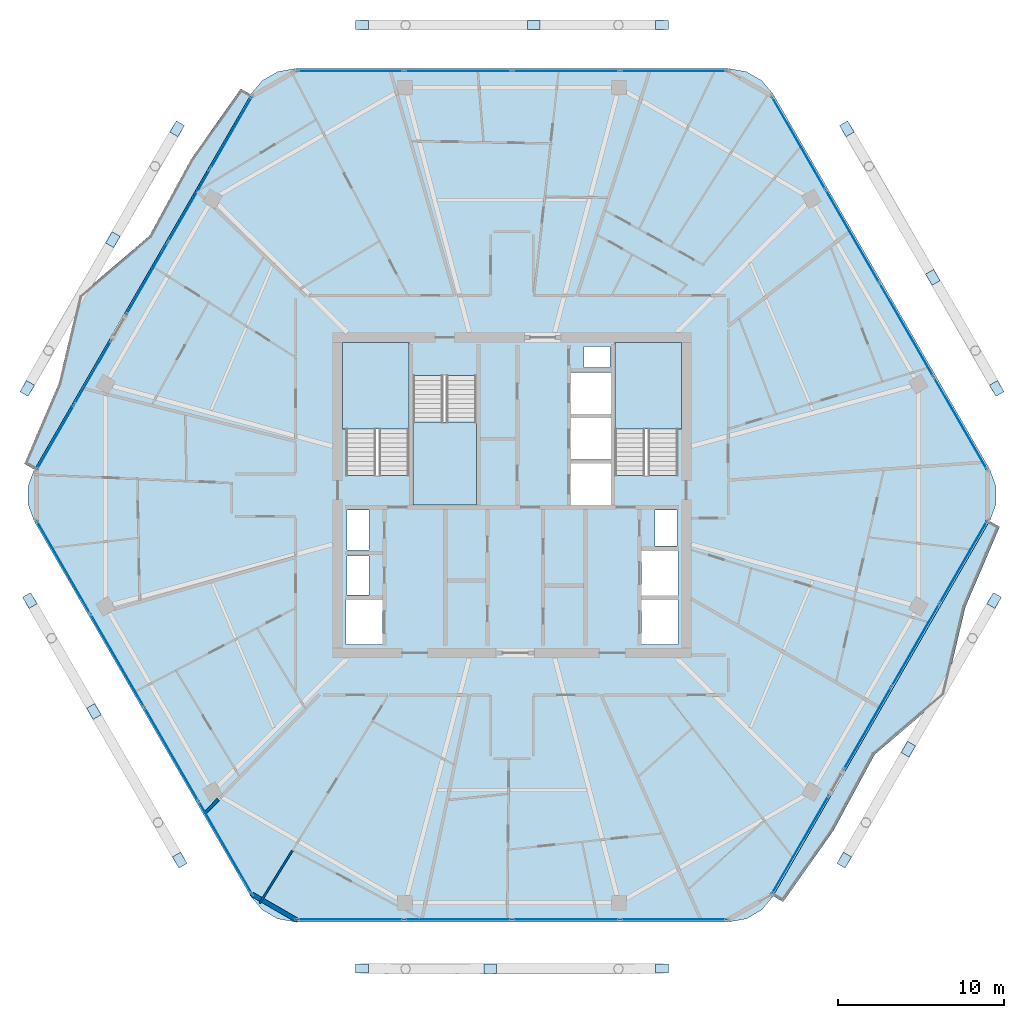
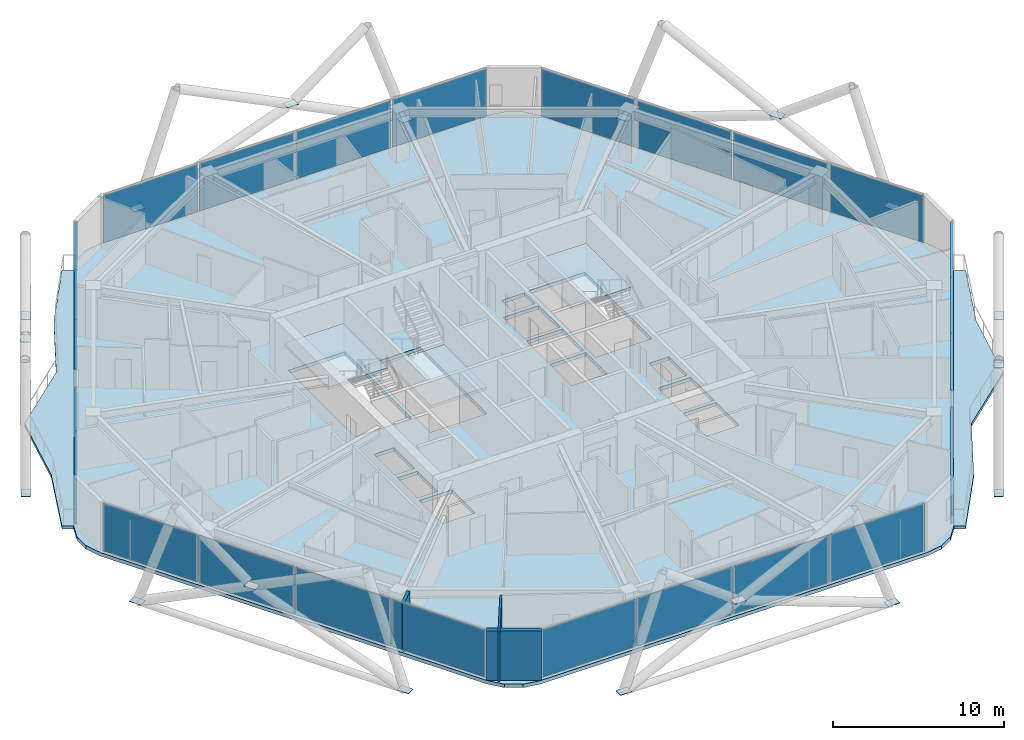
# One storey, part 19 of 29: 43 plates, 6 slabs, 3 walls, 11 elements without a shape of their own.
"""IFC4 building model written with IfcOpenShell, lengths in metres."""

from ifc_helpers import new_model, si_unit, direction, frame, frame_2d, origin, origin_2d, place, context, subcontext, project, spatial, polyline, rectangle, outline, extrude, material, layer, layer_set, type_object, element, aggregate, save


model = new_model("IFC4")

# Units and contexts
model_context = context("Model", 3, precision=1e-05, world=origin(), true_north=direction((0.0, 1.0)))
body_context = subcontext(model_context, "Body", "Model", "MODEL_VIEW")
ifc_project = project(units=[si_unit("LENGTHUNIT", "METRE"), si_unit("AREAUNIT", "SQUARE_METRE"), si_unit("VOLUMEUNIT", "CUBIC_METRE"), si_unit("PLANEANGLEUNIT", "RADIAN"), si_unit("MASSUNIT", "GRAM", prefix="KILO")], contexts=[model_context])

# Site, building, storey
site_placement = place(None, origin())
site = spatial("IfcSite", under=ifc_project, at=site_placement, CompositionType="ELEMENT")
building_placement = place(site_placement, origin())
building = spatial("IfcBuilding", under=site, at=building_placement, Name="Zuhravey Tower", CompositionType="ELEMENT")
storey_placement = place(building_placement, frame((0.0, 0.0, 246.39990234375)))
storey = spatial("IfcBuildingStorey", under=building, at=storey_placement, Name="L62", CompositionType="ELEMENT", Elevation=246.39990234375)

# Plates
ifc_material_1 = material(Name="Steel SM460", Category="steel")
ifc_layer_1 = layer(ifc_material_1, 0.031982421875)
ifc_layer_set_1 = layer_set([ifc_layer_1], Name="Steel SM460")
plate_type_1 = type_object("IfcPlateType", Name="Exoskeleton Zone 3 Node Plate ND3", PredefinedType="SHEET", material=ifc_layer_set_1)
for number, where, z_axis, x_axis, name in (
    (1, (65.19921875, 38.4326171875, -0.47998046875), (0.0, 0.0, 1.0), (-0.5, 0.866025403784, 0.0), "L62 Exoskeleton Node Gusset L62-01"),
    (2, (56.17041015625, 54.071044921875, -0.47998046875), (0.0, 0.0, 1.0), (-0.5, 0.866025403784, 0.0), "L62 Exoskeleton Node Gusset L62-02"),
    (3, (45.029052734375, 60.323486328125, -0.47998046875), (0.0, 0.0, 1.0), (-1.0, 0.0, 0.0), "L62 Exoskeleton Node Gusset L62-03"),
    (4, (26.970947265625, 60.323486328125, -0.47998046875), (0.0, 0.0, 1.0), (-1.0, 0.0, 0.0), "L62 Exoskeleton Node Gusset L62-04"),
    (5, (15.82958984375, 54.071044921875, -0.47998046875), (0.0, 0.0, 1.0), (-0.5, -0.866025403784, 0.0), "L62 Exoskeleton Node Gusset L62-05"),
    (6, (6.80078125, 38.4326171875, -0.47998046875), (0.0, 0.0, 1.0), (-0.5, -0.866025403784, 0.0), "L62 Exoskeleton Node Gusset L62-06"),
    (7, (6.95654296875, 25.657470703125, -0.47998046875), (0.0, 0.0, 1.0), (0.5, -0.866025403784, 0.0), "L62 Exoskeleton Node Gusset L62-07"),
    (8, (15.985595703125, 10.018798828125, -0.47998046875), (0.0, 0.0, 1.0), (0.5, -0.866025403784, 0.0), "L62 Exoskeleton Node Gusset L62-08"),
    (9, (26.970947265625, 3.496337890625, -0.47998046875), (0.0, 0.0, 1.0), (1.0, 0.0, 0.0), "L62 Exoskeleton Node Gusset L62-09"),
    (10, (45.029052734375, 3.496337890625, -0.47998046875), (0.0, 0.0, 1.0), (1.0, 0.0, 0.0), "L62 Exoskeleton Node Gusset L62-10"),
    (11, (56.014404296875, 10.018798828125, -0.47998046875), (0.0, 0.0, 1.0), (0.5, 0.866025403784, 0.0), "L62 Exoskeleton Node Gusset L62-11"),
    (12, (65.04345703125, 25.657470703125, -0.47998046875), (0.0, 0.0, 1.0), (0.5, 0.866025403784, 0.0), "L62 Exoskeleton Node Gusset L62-12"),
    (13, (61.35302734375, 45.124267578125, 3.3203125), (0.0, 0.0, 1.0), (-0.5, 0.866025403784, 0.0), "L62 Face 1 Diagrid X-Crossing Plate"),
    (14, (37.310791015625, 60.323486328125, 3.3203125), (0.0, 0.0, 1.0), (-1.0, 0.0, 0.0), "L62 Face 2 Diagrid X-Crossing Plate"),
    (15, (11.95751953125, 47.394287109375, 3.3203125), (0.0, 0.0, 1.0), (-0.5, -0.866025403784, 0.0), "L62 Face 3 Diagrid X-Crossing Plate"),
    (16, (10.815673828125, 18.973388671875, 3.3203125), (0.0, 0.0, 1.0), (0.5, -0.866025403784, 0.0), "L62 Face 4 Diagrid X-Crossing Plate"),
    (17, (34.689208984375, 3.4814453125, 3.3203125), (0.0, 0.0, 1.0), (1.0, 0.0, 0.0), "L62 Face 5 Diagrid X-Crossing Plate"),
    (18, (59.87353515625, 16.703125, 3.3203125), (0.0, 0.0, 1.0), (0.5, 0.866025403784, 0.0), "L62 Face 6 Diagrid X-Crossing Plate"),
):
    element("IfcPlate", number, at=place(storey_placement, frame(where, z_axis=z_axis, x_axis=x_axis)), inside=storey, type_object=plate_type_1, Name=name, PredefinedType="SHEET", context=body_context, shape_type="SweptSolid", body=[
        extrude(rectangle(XDim=0.780029296875, YDim=0.56005859375, at=origin_2d()), origin(), (0.0, 0.0, 1.0), 0.031982421875),
    ])

# Slabs
ifc_material_2 = material(Name="Concrete C50/60", Category="concrete")
ifc_layer_2 = layer(ifc_material_2, 0.25)
ifc_layer_set_2 = layer_set([ifc_layer_2], Name="Concrete C50/60")
slab_type_1 = type_object("IfcSlabType", Name="Residential Acoustic Slab 250", PredefinedType="FLOOR", material=ifc_layer_set_2)
slab_1_placement = place(storey_placement, frame((0.0, 0.0, -0.25)))
element("IfcSlab", 19, at=slab_1_placement, inside=storey, type_object=slab_type_1, Name="L62 Floor Slab FS25", PredefinedType="FLOOR", context=body_context, shape_type="SweptSolid", body=[
    extrude(outline(polyline([(64.78515625, 30.449951171875), (65.1533203125, 31.461669921875), (65.1533203125, 32.538330078125), (64.78515625, 33.550048828125), (51.73486328125, 56.153564453125), (51.04296875, 56.978515625), (50.110595703125, 57.5166015625), (49.05029296875, 57.70361328125), (22.94970703125, 57.70361328125), (21.889404296875, 57.5166015625), (20.95703125, 56.978515625), (20.26513671875, 56.153564453125), (7.21484375, 33.550048828125), (6.8466796875, 32.538330078125), (6.8466796875, 31.461669921875), (7.21484375, 30.449951171875), (20.26513671875, 7.846435546875), (20.95703125, 7.021484375), (21.889404296875, 6.4833984375), (22.94970703125, 6.29638671875), (49.05029296875, 6.29638671875), (50.110595703125, 6.4833984375), (51.04296875, 7.021484375), (51.73486328125, 7.846435546875), (64.78515625, 30.449951171875)]), holes=[polyline([(29.800048828125, 33.20068359375), (29.800048828125, 41.0), (26.0, 41.0), (26.0, 33.20068359375), (29.800048828125, 33.20068359375)]), polyline([(46.0, 33.20068359375), (46.0, 41.0), (42.199951171875, 41.0), (42.199951171875, 33.20068359375), (46.0, 33.20068359375)]), polyline([(30.050048828125, 39.199462890625), (30.050048828125, 31.39990234375), (33.85009765625, 31.39990234375), (33.85009765625, 39.199462890625), (30.050048828125, 39.199462890625)]), polyline([(39.550048828125, 31.39990234375), (41.949951171875, 31.39990234375), (41.949951171875, 33.89990234375), (39.550048828125, 33.89990234375), (39.550048828125, 31.39990234375)]), polyline([(39.550048828125, 34.14990234375), (41.949951171875, 34.14990234375), (41.949951171875, 36.64990234375), (39.550048828125, 36.64990234375), (39.550048828125, 34.14990234375)]), polyline([(39.550048828125, 36.89990234375), (41.949951171875, 36.89990234375), (41.949951171875, 39.39990234375), (39.550048828125, 39.39990234375), (39.550048828125, 36.89990234375)]), polyline([(26.0, 23.0), (28.199951171875, 23.0), (28.199951171875, 25.699951171875), (26.0, 25.699951171875), (26.0, 23.0)]), polyline([(43.800048828125, 23.0), (46.0, 23.0), (46.0, 25.699951171875), (43.800048828125, 25.699951171875), (43.800048828125, 23.0)]), polyline([(43.800048828125, 25.949951171875), (46.0, 25.949951171875), (46.0, 28.64990234375), (43.800048828125, 28.64990234375), (43.800048828125, 25.949951171875)]), polyline([(26.050048828125, 26.0), (27.39990234375, 26.0), (27.39990234375, 28.35009765625), (26.050048828125, 28.35009765625), (26.050048828125, 26.0)]), polyline([(26.050048828125, 28.699951171875), (27.39990234375, 28.699951171875), (27.39990234375, 31.10009765625), (26.050048828125, 31.10009765625), (26.050048828125, 28.699951171875)]), polyline([(44.60009765625, 28.949951171875), (45.949951171875, 28.949951171875), (45.949951171875, 31.10009765625), (44.60009765625, 31.10009765625), (44.60009765625, 28.949951171875)]), polyline([(40.35009765625, 39.699951171875), (41.89990234375, 39.699951171875), (41.89990234375, 40.949951171875), (40.35009765625, 40.949951171875), (40.35009765625, 39.699951171875)])]), origin(), (0.0, 0.0, 1.0), 0.25),
])
ifc_material_3 = material(Name="Concrete C40/50", Category="concrete")
ifc_layer_3 = layer(ifc_material_3, 0.219970703125)
ifc_layer_set_3 = layer_set([ifc_layer_3], Name="Concrete C40/50")
slab_type_2 = type_object("IfcSlabType", Name="Sinusoidal Residential Wave Balcony 220", PredefinedType="FLOOR", material=ifc_layer_set_3)
slab_2_placement = place(storey_placement, frame((0.0, 0.0, -0.219970703125)))
element("IfcSlab", 20, at=slab_2_placement, inside=storey, type_object=slab_type_2, Name="L62 Face 3 Wave Balcony WB22", PredefinedType="FLOOR", context=body_context, shape_type="SweptSolid", body=[
    extrude(outline(polyline([(20.273681640625, 56.138671875), (7.232177734375, 33.550048828125), (6.6259765625, 33.89990234375), (8.69189453125, 38.730712890625), (9.947021484375, 44.02978515625), (14.157470703125, 47.62255859375), (16.645751953125, 52.209716796875), (19.66748046875, 56.488525390625), (20.273681640625, 56.138671875)])), origin(), (0.0, 0.0, 1.0), 0.219970703125),
])
slab_3_placement = place(storey_placement, frame((0.0, 0.0, -0.219970703125)))
element("IfcSlab", 21, at=slab_3_placement, inside=storey, type_object=slab_type_2, Name="L62 Face 6 Wave Balcony WB22", PredefinedType="FLOOR", context=body_context, shape_type="SweptSolid", body=[
    extrude(outline(polyline([(51.726318359375, 7.861328125), (64.767822265625, 30.449951171875), (65.3740234375, 30.10009765625), (63.30810546875, 25.269287109375), (62.052978515625, 19.97021484375), (57.842529296875, 16.37744140625), (55.354248046875, 11.790283203125), (52.33251953125, 7.511474609375), (51.726318359375, 7.861328125)])), origin(), (0.0, 0.0, 1.0), 0.219970703125),
])

# Stair, slab
stair_type = type_object("IfcStairType", Name="Housing Storey Stair Assembly 3800", PredefinedType="HALF_TURN_STAIR", material=ifc_material_3)
stair_1_placement = place(storey_placement, origin())
stair_1 = element("IfcStair", 22, at=stair_1_placement, inside=storey, type_object=stair_type, Name="L62 Core Exit Stair ST1", PredefinedType="HALF_TURN_STAIR")
ifc_layer_4 = layer(ifc_material_3, 0.199951171875)
ifc_layer_set_4 = layer_set([ifc_layer_4], Name="Concrete C40/50")
slab_type_3 = type_object("IfcSlabType", Name="Stair Landing Slab 200", PredefinedType="LANDING", material=ifc_layer_set_4)
slab_4_placement = place(storey_placement, frame((0.0, 0.0, 1.7001953125)))
slab_4 = element("IfcSlab", 23, at=slab_4_placement, type_object=slab_type_3, Name="ST1 landing 1", PredefinedType="LANDING", context=body_context, shape_type="SweptSolid", body=[
    extrude(outline(polyline([(29.800048828125, 36.0), (29.800048828125, 41.197998046875), (25.802001953125, 41.197998046875), (25.802001953125, 36.0), (29.800048828125, 36.0)])), origin(), (0.0, 0.0, 1.0), 0.199951171875),
])
aggregate(stair_1, [slab_4])

stair_2_placement = place(storey_placement, origin())
stair_2 = element("IfcStair", 24, at=stair_2_placement, inside=storey, type_object=stair_type, Name="L62 Core Exit Stair ST2", PredefinedType="HALF_TURN_STAIR")
slab_5_placement = place(storey_placement, frame((0.0, 0.0, 1.7001953125)))
slab_5 = element("IfcSlab", 25, at=slab_5_placement, type_object=slab_type_3, Name="ST2 landing 1", PredefinedType="LANDING", context=body_context, shape_type="SweptSolid", body=[
    extrude(outline(polyline([(46.197998046875, 36.0), (46.197998046875, 41.197998046875), (42.199951171875, 41.197998046875), (42.199951171875, 36.0), (46.197998046875, 36.0)])), origin(), (0.0, 0.0, 1.0), 0.199951171875),
])
aggregate(stair_2, [slab_5])

stair_3_placement = place(storey_placement, origin())
stair_3 = element("IfcStair", 26, at=stair_3_placement, inside=storey, type_object=stair_type, Name="L62 Core Exit Stair ST3", PredefinedType="HALF_TURN_STAIR")
slab_6_placement = place(storey_placement, frame((0.0, 0.0, 1.7001953125)))
slab_6 = element("IfcSlab", 27, at=slab_6_placement, type_object=slab_type_3, Name="ST3 landing 1", PredefinedType="LANDING", context=body_context, shape_type="SweptSolid", body=[
    extrude(outline(polyline([(30.050048828125, 36.39990234375), (30.050048828125, 31.39990234375), (33.85009765625, 31.39990234375), (33.85009765625, 36.39990234375), (30.050048828125, 36.39990234375)])), origin(), (0.0, 0.0, 1.0), 0.199951171875),
])
aggregate(stair_3, [slab_6])

# Curtain wall, plates
ifc_material_4 = material(Name="Thermally broken anodised aluminium", Category="aluminium")
curtain_wall_type = type_object("IfcCurtainWallType", Name="Zone 3-4 High-Rise Curtain Wall CW4", PredefinedType="NOTDEFINED", material=ifc_material_4)
curtain_wall_1_placement = place(storey_placement, origin())
curtain_wall_1 = element("IfcCurtainWall", 28, at=curtain_wall_1_placement, inside=storey, type_object=curtain_wall_type, Name="L62 CW4 CW-L62-F6-1", PredefinedType="NOTDEFINED")
ifc_material_5 = material(Name="Triple low-E insulated vision glass", Category="glass")
ifc_layer_5 = layer(ifc_material_5, 0.0419921875)
ifc_layer_set_5 = layer_set([ifc_layer_5], Name="Triple low-E insulated vision glass")
plate_type_2 = type_object("IfcPlateType", Name="Triple Low-E Vision Panel", PredefinedType="CURTAIN_PANEL", material=ifc_layer_set_5)
plate_1_placement = place(storey_placement, frame((63.18603515625, 27.960205078125, 0.090087890625), z_axis=(0.0, 0.0, 1.0), x_axis=(-0.499999117677, -0.866025913193, 0.0)))
plate_1 = element("IfcPlate", 29, at=plate_1_placement, type_object=plate_type_2, Name="CW4 panel 1.1", PredefinedType="CURTAIN_PANEL", context=body_context, shape_type="SweptSolid", body=[
    extrude(rectangle(XDim=5.65673828125, YDim=0.0419921875, at=origin_2d()), origin(), (0.0, 0.0, 1.0), 3.3701171875),
])
plate_2_placement = place(storey_placement, frame((60.30126953125, 22.9638671875, 0.090087890625), z_axis=(0.0, 0.0, 1.0), x_axis=(-0.499999117677, -0.866025913193, 0.0)))
plate_2 = element("IfcPlate", 30, at=plate_2_placement, type_object=plate_type_2, Name="CW4 panel 2.1", PredefinedType="CURTAIN_PANEL", context=body_context, shape_type="SweptSolid", body=[
    extrude(rectangle(XDim=5.70166015625, YDim=0.0419921875, at=origin_2d()), origin(), (0.0, 0.0, 1.0), 3.3701171875),
])
plate_3_placement = place(storey_placement, frame((57.416748046875, 17.967529296875, 0.090087890625), z_axis=(0.0, 0.0, 1.0), x_axis=(-0.499999117677, -0.866025913193, 0.0)))
plate_3 = element("IfcPlate", 31, at=plate_3_placement, type_object=plate_type_2, Name="CW4 panel 3.1", PredefinedType="CURTAIN_PANEL", context=body_context, shape_type="SweptSolid", body=[
    extrude(rectangle(XDim=5.65673828125, YDim=0.0419921875, at=origin_2d()), origin(), (0.0, 0.0, 1.0), 3.3701171875),
])
aggregate(curtain_wall_1, [plate_1, plate_2, plate_3])

# Curtain wall, plate
curtain_wall_2_placement = place(storey_placement, origin())
curtain_wall_2 = element("IfcCurtainWall", 32, at=curtain_wall_2_placement, inside=storey, type_object=curtain_wall_type, Name="L62 CW4 CW-L62-F6-2", PredefinedType="NOTDEFINED")
plate_4_placement = place(storey_placement, frame((53.369873046875, 10.95849609375, 0.090087890625), z_axis=(0.0, 0.0, 1.0), x_axis=(-0.500003100264, -0.866023613839, 0.0)))
plate_4 = element("IfcPlate", 33, at=plate_4_placement, type_object=plate_type_2, Name="CW4 panel 1.1", PredefinedType="CURTAIN_PANEL", context=body_context, shape_type="SweptSolid", body=[
    extrude(rectangle(XDim=6.770263671875, YDim=0.0419921875, at=origin_2d()), origin(), (0.0, 0.0, 1.0), 3.3701171875),
])
aggregate(curtain_wall_2, [plate_4])

# Curtain wall, plates
curtain_wall_3_placement = place(storey_placement, origin())
curtain_wall_3 = element("IfcCurtainWall", 34, at=curtain_wall_3_placement, inside=storey, type_object=curtain_wall_type, Name="L62 CW4 CW-L62-F5-1", PredefinedType="NOTDEFINED")
plate_5_placement = place(storey_placement, frame((45.737060546875, 6.436279296875, 0.090087890625), z_axis=(0.0, 0.0, 1.0), x_axis=(-1.0, 0.0, 0.0)))
plate_5 = element("IfcPlate", 35, at=plate_5_placement, type_object=plate_type_2, Name="CW4 panel 1.1", PredefinedType="CURTAIN_PANEL", context=body_context, shape_type="SweptSolid", body=[
    extrude(rectangle(XDim=6.371337890625, YDim=0.0419921875, at=origin_2d()), origin(), (0.0, 0.0, 1.0), 3.3701171875),
])
plate_6_placement = place(storey_placement, frame((39.253173828125, 6.436279296875, 0.090087890625), z_axis=(0.0, 0.0, 1.0), x_axis=(-1.0, 0.0, 0.0)))
plate_6 = element("IfcPlate", 36, at=plate_6_placement, type_object=plate_type_2, Name="CW4 panel 2.1", PredefinedType="CURTAIN_PANEL", context=body_context, shape_type="SweptSolid", body=[
    extrude(rectangle(XDim=6.416259765625, YDim=0.0419921875, at=origin_2d()), origin(), (0.0, 0.0, 1.0), 3.3701171875),
])
plate_7_placement = place(storey_placement, frame((32.746826171875, 6.436279296875, 0.090087890625), z_axis=(0.0, 0.0, 1.0), x_axis=(-1.0, 0.0, 0.0)))
plate_7 = element("IfcPlate", 37, at=plate_7_placement, type_object=plate_type_2, Name="CW4 panel 3.1", PredefinedType="CURTAIN_PANEL", context=body_context, shape_type="SweptSolid", body=[
    extrude(rectangle(XDim=6.416259765625, YDim=0.0419921875, at=origin_2d()), origin(), (0.0, 0.0, 1.0), 3.3701171875),
])
plate_8_placement = place(storey_placement, frame((26.262939453125, 6.436279296875, 0.090087890625), z_axis=(0.0, 0.0, 1.0), x_axis=(-1.0, 0.0, 0.0)))
plate_8 = element("IfcPlate", 38, at=plate_8_placement, type_object=plate_type_2, Name="CW4 panel 4.1", PredefinedType="CURTAIN_PANEL", context=body_context, shape_type="SweptSolid", body=[
    extrude(rectangle(XDim=6.371337890625, YDim=0.0419921875, at=origin_2d()), origin(), (0.0, 0.0, 1.0), 3.3701171875),
])
aggregate(curtain_wall_3, [plate_5, plate_6, plate_7, plate_8])

curtain_wall_4_placement = place(storey_placement, origin())
curtain_wall_4 = element("IfcCurtainWall", 39, at=curtain_wall_4_placement, inside=storey, type_object=curtain_wall_type, Name="L62 CW4 CW-L62-F4-1", PredefinedType="NOTDEFINED")
plate_9_placement = place(storey_placement, frame((18.729736328125, 10.78564453125, 0.090087890625), z_axis=(0.0, 0.0, 1.0), x_axis=(-0.500000957414, 0.866024851021, 0.0)))
plate_9 = element("IfcPlate", 40, at=plate_9_placement, type_object=plate_type_2, Name="CW4 panel 1.1", PredefinedType="CURTAIN_PANEL", context=body_context, shape_type="SweptSolid", body=[
    extrude(rectangle(XDim=6.371337890625, YDim=0.0419921875, at=origin_2d()), origin(), (0.0, 0.0, 1.0), 3.3701171875),
])
plate_10_placement = place(storey_placement, frame((15.48779296875, 16.40087890625, 0.090087890625), z_axis=(0.0, 0.0, 1.0), x_axis=(-0.500000957414, 0.866024851021, 0.0)))
plate_10 = element("IfcPlate", 41, at=plate_10_placement, type_object=plate_type_2, Name="CW4 panel 2.1", PredefinedType="CURTAIN_PANEL", context=body_context, shape_type="SweptSolid", body=[
    extrude(rectangle(XDim=6.416259765625, YDim=0.0419921875, at=origin_2d()), origin(), (0.0, 0.0, 1.0), 3.3701171875),
])
plate_11_placement = place(storey_placement, frame((12.234619140625, 22.03564453125, 0.090087890625), z_axis=(0.0, 0.0, 1.0), x_axis=(-0.500000957414, 0.866024851021, 0.0)))
plate_11 = element("IfcPlate", 42, at=plate_11_placement, type_object=plate_type_2, Name="CW4 panel 3.1", PredefinedType="CURTAIN_PANEL", context=body_context, shape_type="SweptSolid", body=[
    extrude(rectangle(XDim=6.416259765625, YDim=0.0419921875, at=origin_2d()), origin(), (0.0, 0.0, 1.0), 3.3701171875),
])
plate_12_placement = place(storey_placement, frame((8.99267578125, 27.650634765625, 0.090087890625), z_axis=(0.0, 0.0, 1.0), x_axis=(-0.500000957414, 0.866024851021, 0.0)))
plate_12 = element("IfcPlate", 43, at=plate_12_placement, type_object=plate_type_2, Name="CW4 panel 4.1", PredefinedType="CURTAIN_PANEL", context=body_context, shape_type="SweptSolid", body=[
    extrude(rectangle(XDim=6.371337890625, YDim=0.0419921875, at=origin_2d()), origin(), (0.0, 0.0, 1.0), 3.3701171875),
])
aggregate(curtain_wall_4, [plate_9, plate_10, plate_11, plate_12])

curtain_wall_5_placement = place(storey_placement, origin())
curtain_wall_5 = element("IfcCurtainWall", 44, at=curtain_wall_5_placement, inside=storey, type_object=curtain_wall_type, Name="L62 CW4 CW-L62-F3-1", PredefinedType="NOTDEFINED")
plate_13_placement = place(storey_placement, frame((8.501220703125, 35.498046875, 0.090087890625), z_axis=(0.0, 0.0, 1.0), x_axis=(0.500003656948, 0.866023292434, 0.0)))
plate_13 = element("IfcPlate", 45, at=plate_13_placement, type_object=plate_type_2, Name="CW4 panel 1.1", PredefinedType="CURTAIN_PANEL", context=body_context, shape_type="SweptSolid", body=[
    extrude(rectangle(XDim=4.405517578125, YDim=0.0419921875, at=origin_2d()), origin(), (0.0, 0.0, 1.0), 3.3701171875),
])
plate_14_placement = place(storey_placement, frame((10.7490234375, 39.391357421875, 0.090087890625), z_axis=(0.0, 0.0, 1.0), x_axis=(0.500003656948, 0.866023292434, 0.0)))
plate_14 = element("IfcPlate", 46, at=plate_14_placement, type_object=plate_type_2, Name="CW4 panel 2.1", PredefinedType="CURTAIN_PANEL", context=body_context, shape_type="SweptSolid", body=[
    extrude(rectangle(XDim=4.405517578125, YDim=0.0419921875, at=origin_2d()), origin(), (0.0, 0.0, 1.0), 3.3701171875),
])
aggregate(curtain_wall_5, [plate_13, plate_14])

curtain_wall_6_placement = place(storey_placement, origin())
curtain_wall_6 = element("IfcCurtainWall", 47, at=curtain_wall_6_placement, inside=storey, type_object=curtain_wall_type, Name="L62 CW4 CW-L62-F3-2", PredefinedType="NOTDEFINED")
plate_15_placement = place(storey_placement, frame((14.027099609375, 45.06884765625, 0.090087890625), z_axis=(0.0, 0.0, 1.0), x_axis=(0.499998229413, 0.866026426031, 0.0)))
plate_15 = element("IfcPlate", 48, at=plate_15_placement, type_object=plate_type_2, Name="CW4 panel 1.1", PredefinedType="CURTAIN_PANEL", context=body_context, shape_type="SweptSolid", body=[
    extrude(rectangle(XDim=4.946533203125, YDim=0.0419921875, at=origin_2d()), origin(), (0.0, 0.0, 1.0), 3.3701171875),
])
plate_16_placement = place(storey_placement, frame((16.556396484375, 49.449951171875, 0.090087890625), z_axis=(0.0, 0.0, 1.0), x_axis=(0.499998229413, 0.866026426031, 0.0)))
plate_16 = element("IfcPlate", 49, at=plate_16_placement, type_object=plate_type_2, Name="CW4 panel 2.1", PredefinedType="CURTAIN_PANEL", context=body_context, shape_type="SweptSolid", body=[
    extrude(rectangle(XDim=4.991455078125, YDim=0.0419921875, at=origin_2d()), origin(), (0.0, 0.0, 1.0), 3.3701171875),
])
plate_17_placement = place(storey_placement, frame((19.0859375, 53.831298828125, 0.090087890625), z_axis=(0.0, 0.0, 1.0), x_axis=(0.499998229413, 0.866026426031, 0.0)))
plate_17 = element("IfcPlate", 50, at=plate_17_placement, type_object=plate_type_2, Name="CW4 panel 3.1", PredefinedType="CURTAIN_PANEL", context=body_context, shape_type="SweptSolid", body=[
    extrude(rectangle(XDim=4.946533203125, YDim=0.0419921875, at=origin_2d()), origin(), (0.0, 0.0, 1.0), 3.3701171875),
])
aggregate(curtain_wall_6, [plate_15, plate_16, plate_17])

curtain_wall_7_placement = place(storey_placement, origin())
curtain_wall_7 = element("IfcCurtainWall", 51, at=curtain_wall_7_placement, inside=storey, type_object=curtain_wall_type, Name="L62 CW4 CW-L62-F2-1", PredefinedType="NOTDEFINED")
plate_18_placement = place(storey_placement, frame((26.262939453125, 57.563720703125, 0.090087890625), z_axis=(0.0, 0.0, 1.0), x_axis=(1.0, 0.0, 0.0)))
plate_18 = element("IfcPlate", 52, at=plate_18_placement, type_object=plate_type_2, Name="CW4 panel 1.1", PredefinedType="CURTAIN_PANEL", context=body_context, shape_type="SweptSolid", body=[
    extrude(rectangle(XDim=6.371337890625, YDim=0.0419921875, at=origin_2d()), origin(), (0.0, 0.0, 1.0), 3.3701171875),
])
plate_19_placement = place(storey_placement, frame((32.746826171875, 57.563720703125, 0.090087890625), z_axis=(0.0, 0.0, 1.0), x_axis=(1.0, 0.0, 0.0)))
plate_19 = element("IfcPlate", 53, at=plate_19_placement, type_object=plate_type_2, Name="CW4 panel 2.1", PredefinedType="CURTAIN_PANEL", context=body_context, shape_type="SweptSolid", body=[
    extrude(rectangle(XDim=6.416259765625, YDim=0.0419921875, at=origin_2d()), origin(), (0.0, 0.0, 1.0), 3.3701171875),
])
plate_20_placement = place(storey_placement, frame((39.253173828125, 57.563720703125, 0.090087890625), z_axis=(0.0, 0.0, 1.0), x_axis=(1.0, 0.0, 0.0)))
plate_20 = element("IfcPlate", 54, at=plate_20_placement, type_object=plate_type_2, Name="CW4 panel 3.1", PredefinedType="CURTAIN_PANEL", context=body_context, shape_type="SweptSolid", body=[
    extrude(rectangle(XDim=6.416259765625, YDim=0.0419921875, at=origin_2d()), origin(), (0.0, 0.0, 1.0), 3.3701171875),
])
plate_21_placement = place(storey_placement, frame((45.737060546875, 57.563720703125, 0.090087890625), z_axis=(0.0, 0.0, 1.0), x_axis=(1.0, 0.0, 0.0)))
plate_21 = element("IfcPlate", 55, at=plate_21_placement, type_object=plate_type_2, Name="CW4 panel 4.1", PredefinedType="CURTAIN_PANEL", context=body_context, shape_type="SweptSolid", body=[
    extrude(rectangle(XDim=6.371337890625, YDim=0.0419921875, at=origin_2d()), origin(), (0.0, 0.0, 1.0), 3.3701171875),
])
aggregate(curtain_wall_7, [plate_18, plate_19, plate_20, plate_21])

curtain_wall_8_placement = place(storey_placement, origin())
curtain_wall_8 = element("IfcCurtainWall", 56, at=curtain_wall_8_placement, inside=storey, type_object=curtain_wall_type, Name="L62 CW4 CW-L62-F1-1", PredefinedType="NOTDEFINED")
plate_22_placement = place(storey_placement, frame((53.270263671875, 53.21435546875, 0.090087890625), z_axis=(0.0, 0.0, 1.0), x_axis=(0.500000957414, -0.866024851021, 0.0)))
plate_22 = element("IfcPlate", 57, at=plate_22_placement, type_object=plate_type_2, Name="CW4 panel 1.1", PredefinedType="CURTAIN_PANEL", context=body_context, shape_type="SweptSolid", body=[
    extrude(rectangle(XDim=6.371337890625, YDim=0.0419921875, at=origin_2d()), origin(), (0.0, 0.0, 1.0), 3.3701171875),
])
plate_23_placement = place(storey_placement, frame((56.51220703125, 47.59912109375, 0.090087890625), z_axis=(0.0, 0.0, 1.0), x_axis=(0.500000957414, -0.866024851021, 0.0)))
plate_23 = element("IfcPlate", 58, at=plate_23_placement, type_object=plate_type_2, Name="CW4 panel 2.1", PredefinedType="CURTAIN_PANEL", context=body_context, shape_type="SweptSolid", body=[
    extrude(rectangle(XDim=6.416259765625, YDim=0.0419921875, at=origin_2d()), origin(), (0.0, 0.0, 1.0), 3.3701171875),
])
plate_24_placement = place(storey_placement, frame((59.765380859375, 41.96435546875, 0.090087890625), z_axis=(0.0, 0.0, 1.0), x_axis=(0.500000957414, -0.866024851021, 0.0)))
plate_24 = element("IfcPlate", 59, at=plate_24_placement, type_object=plate_type_2, Name="CW4 panel 3.1", PredefinedType="CURTAIN_PANEL", context=body_context, shape_type="SweptSolid", body=[
    extrude(rectangle(XDim=6.416259765625, YDim=0.0419921875, at=origin_2d()), origin(), (0.0, 0.0, 1.0), 3.3701171875),
])
plate_25_placement = place(storey_placement, frame((63.00732421875, 36.349365234375, 0.090087890625), z_axis=(0.0, 0.0, 1.0), x_axis=(0.500000957414, -0.866024851021, 0.0)))
plate_25 = element("IfcPlate", 60, at=plate_25_placement, type_object=plate_type_2, Name="CW4 panel 4.1", PredefinedType="CURTAIN_PANEL", context=body_context, shape_type="SweptSolid", body=[
    extrude(rectangle(XDim=6.371337890625, YDim=0.0419921875, at=origin_2d()), origin(), (0.0, 0.0, 1.0), 3.3701171875),
])
aggregate(curtain_wall_8, [plate_22, plate_23, plate_24, plate_25])

# Walls
ifc_material_6 = material(Name="Precast concrete C40/50", Category="concrete")
ifc_layer_6 = layer(ifc_material_6, 0.280029296875)
ifc_layer_set_6 = layer_set([ifc_layer_6], Name="Precast concrete C40/50")
wall_type_1 = type_object("IfcWallType", Name="Crown Architectural Wall 280", PredefinedType="SOLIDWALL", material=ifc_layer_set_6)
wall_1_placement = place(storey_placement, frame((23.069580078125, 6.388916015625, 0.0), z_axis=(0.0, 0.0, 1.0), x_axis=(-0.866028773314, 0.499994163758, 0.0)))
element("IfcWall", 61, at=wall_1_placement, inside=storey, type_object=wall_type_1, Name="L62 Rounded Corner Closure Wall EW28-04", PredefinedType="SOLIDWALL", context=body_context, shape_type="SweptSolid", body=[
    extrude(rectangle(XDim=3.21484375, YDim=0.280029296875, at=frame_2d((1.607421875, 0.0))), origin(), (0.0, 0.0, 1.0), 3.550048828125),
])
ifc_material_7 = material(Name="Gypsum double-stud party assembly")
ifc_layer_7 = layer(ifc_material_7, 0.199951171875)
ifc_layer_set_7 = layer_set([ifc_layer_7], Name="Gypsum double-stud party assembly")
wall_type_2 = type_object("IfcWallType", Name="Inter-Tenancy Party Wall 200", PredefinedType="PARTITIONING", material=ifc_layer_set_7)
wall_2_placement = place(storey_placement, frame((18.303955078125, 13.67529296875, 0.0), z_axis=(0.0, 0.0, 1.0), x_axis=(-0.69467624965, -0.719322534175, 0.0)))
element("IfcWall", 62, at=wall_2_placement, inside=storey, type_object=wall_type_2, Name="L62 IW20 Partition 091", PredefinedType="PARTITIONING", context=body_context, shape_type="SweptSolid", body=[
    extrude(rectangle(XDim=1.119384765625, YDim=0.199951171875, at=frame_2d((0.5595703125, 0.0))), origin(), (0.0, 0.0, 1.0), 3.550048828125),
])
ifc_material_8 = material(Name="Gypsum metal-stud partition")
ifc_layer_8 = layer(ifc_material_8, 0.1201171875)
ifc_layer_set_8 = layer_set([ifc_layer_8], Name="Gypsum metal-stud partition")
wall_type_3 = type_object("IfcWallType", Name="Unit Internal Partition 120", PredefinedType="PARTITIONING", material=ifc_layer_set_8)
wall_3_placement = place(storey_placement, frame((22.769775390625, 10.59521484375, 0.0), z_axis=(0.0, 0.0, 1.0), x_axis=(-0.525761118402, -0.850632262718, 0.0)))
element("IfcWall", 63, at=wall_3_placement, inside=storey, type_object=wall_type_3, Name="L62 IW12 Partition 093", PredefinedType="PARTITIONING", context=body_context, shape_type="SweptSolid", body=[
    extrude(rectangle(XDim=3.739501953125, YDim=0.1201171875, at=frame_2d((1.86962890625, 0.0))), origin(), (0.0, 0.0, 1.0), 3.550048828125),
])

save(model, "model.ifc")
